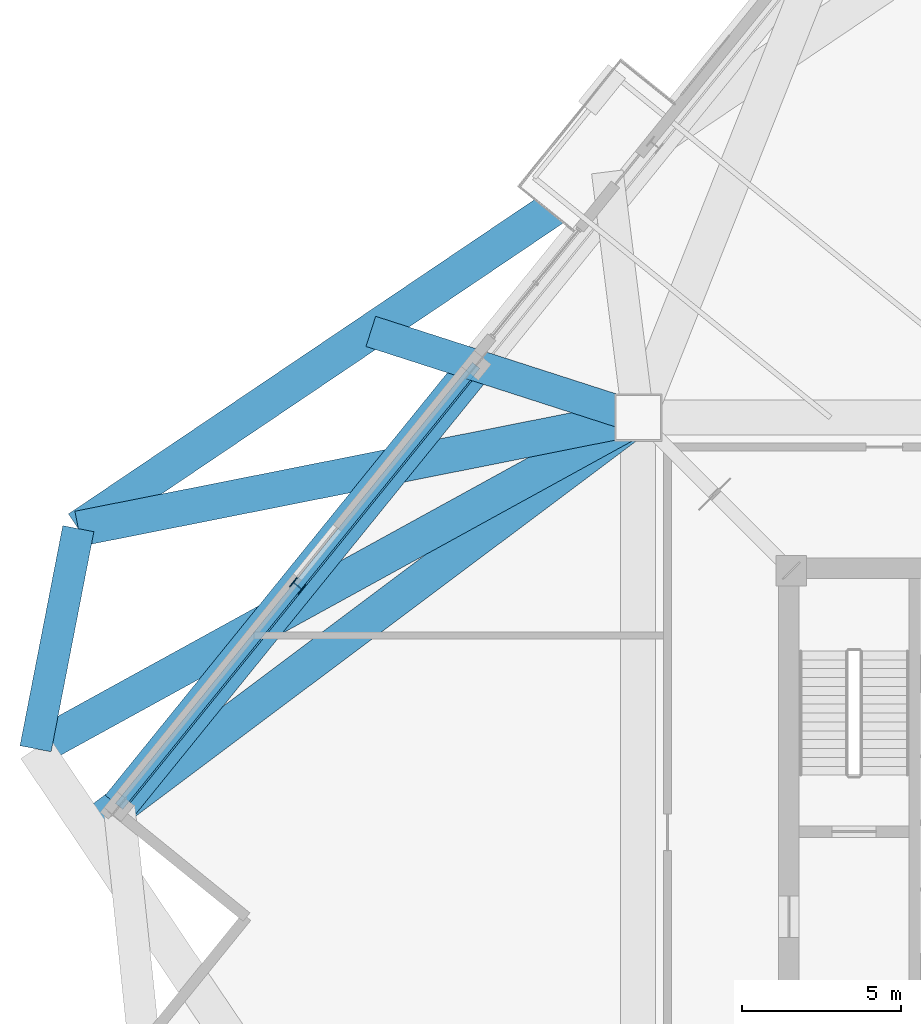
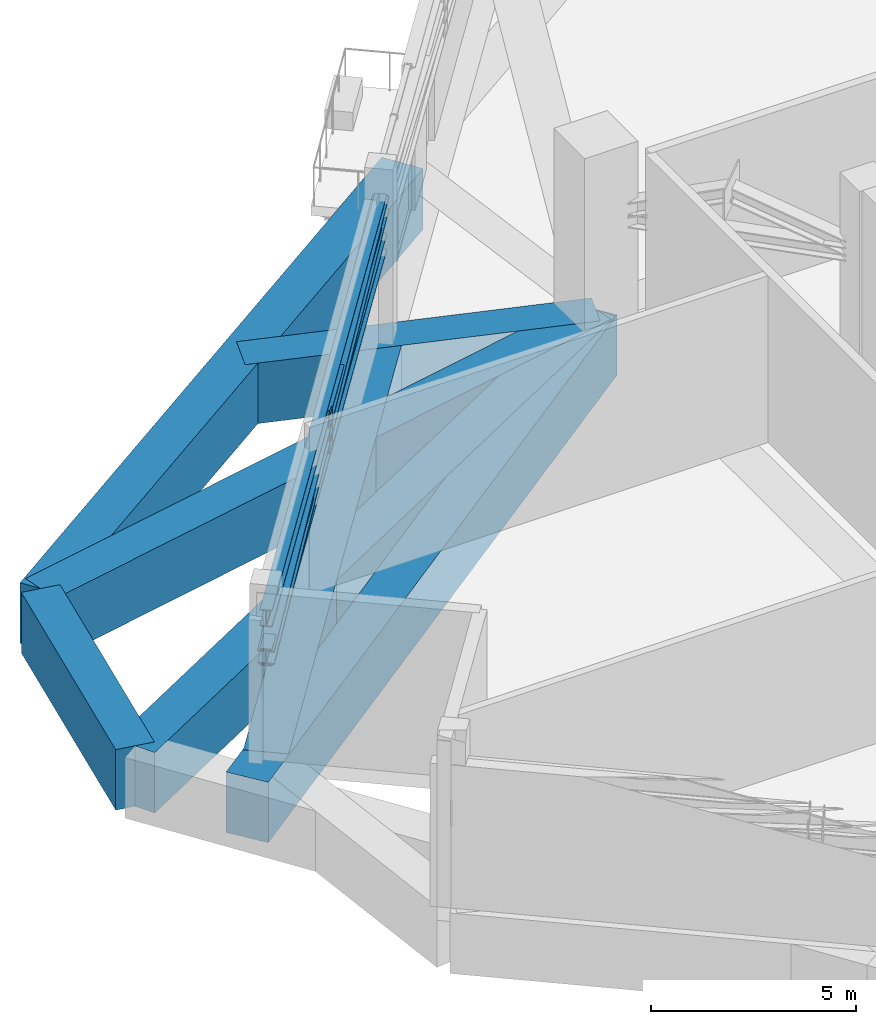
# One storey, part 6 of 22: 7 beams, 4 members.
"""IFC4 building model written with IfcOpenShell, lengths in metres."""

import ifcopenshell
import ifcopenshell.guid

model = None  # the IFC model being written
_history = None  # IfcOwnerHistory: only IFC2X3 demands one
_inside = {}  # id of a spatial element -> (the spatial element, [elements in it])
_under = {}  # id of a project, library or spatial element -> (it, [spatial elements below it])
_declared = {}  # id of a project -> (the project, [libraries it declares])
_typed = {}  # id of a type object -> (the type object, [elements of that type])
_made_of = {}  # id of a material, layer set ... -> (it, [elements and type objects made of it])


def new_model(schema):
    """Start an empty IFC model of exactly this schema.

    Asked for "IFC4X3", IfcOpenShell would pick the latest addendum, in which some entities
    have other attributes; the version numbers below select the first issue.
    IFC2X3 requires an IfcOwnerHistory on every rooted entity: one is made here for all.
    """
    global model, _history
    if schema == "IFC4X3":
        model = ifcopenshell.file(schema_version=(4, 3, 0, 0))
    else:
        model = ifcopenshell.file(schema=schema)
    _inside.clear()
    _under.clear()
    _declared.clear()
    _typed.clear()
    _made_of.clear()
    _history = None
    if model.schema == "IFC2X3":
        org = make("IfcOrganization", Name="unknown")
        user = make(
            "IfcPersonAndOrganization",
            ThePerson=make("IfcPerson", FamilyName="unknown"),
            TheOrganization=org,
        )
        app = make(
            "IfcApplication",
            ApplicationDeveloper=org,
            Version="unknown",
            ApplicationFullName="unknown",
            ApplicationIdentifier="unknown",
        )
        _history = make(
            "IfcOwnerHistory",
            OwningUser=user,
            OwningApplication=app,
            ChangeAction="ADDED",
            CreationDate=0,
        )
    return model


def make(cls, **values):
    """One entity of the class cls with the attributes given. An attribute that is None is left unset."""
    return model.create_entity(
        cls, **{name: value for name, value in values.items() if value is not None}
    )


def rooted(cls, **values):
    """An entity with a GlobalId (a new one), such as an element, a storey or a relation."""
    return make(cls, GlobalId=ifcopenshell.guid.new(), OwnerHistory=_history, **values)


def si_unit(unit_type, name, prefix=None):
    """IfcSIUnit, for example si_unit("LENGTHUNIT", "METRE", prefix="MILLI")."""
    return make("IfcSIUnit", UnitType=unit_type, Prefix=prefix, Name=name)


def assignment(units):
    """IfcUnitAssignment: the units of a project."""
    return None if units is None else make("IfcUnitAssignment", Units=units)


def point(xyz):
    """IfcCartesianPoint."""
    return None if xyz is None else make("IfcCartesianPoint", Coordinates=xyz)


def direction(xyz):
    """IfcDirection."""
    return None if xyz is None else make("IfcDirection", DirectionRatios=xyz)


def frame(location, z_axis=None, x_axis=None):
    """IfcAxis2Placement3D, a coordinate frame: its origin and axes. An axis left out is left unset."""
    return make(
        "IfcAxis2Placement3D",
        Location=point(location),
        Axis=direction(z_axis),
        RefDirection=direction(x_axis),
    )


def frame_2d(location, x_axis=None):
    """IfcAxis2Placement2D, a coordinate frame in the plane: its origin and x axis."""
    return make(
        "IfcAxis2Placement2D", Location=point(location), RefDirection=direction(x_axis)
    )


def origin():
    """The frame at (0, 0, 0) with its axes left unset."""
    return frame((0.0, 0.0, 0.0))


def origin_2d():
    """The frame at (0, 0) in the plane with its x axis left unset."""
    return frame_2d((0.0, 0.0))


def place(relative_to, where):
    """IfcLocalPlacement: puts the frame where relative to a parent placement (None: the world)."""
    return make(
        "IfcLocalPlacement", PlacementRelTo=relative_to, RelativePlacement=where
    )


def context(
    kind, dimensions, precision=None, world=None, true_north=None, identifier=None
):
    """IfcGeometricRepresentationContext, for example the 3D "Model" context."""
    return make(
        "IfcGeometricRepresentationContext",
        ContextIdentifier=identifier,
        ContextType=kind,
        CoordinateSpaceDimension=dimensions,
        Precision=precision,
        WorldCoordinateSystem=world,
        TrueNorth=true_north,
    )


def subcontext(parent, identifier, kind, view, scale=None):
    """IfcGeometricRepresentationSubContext, for example "Body" below "Model"."""
    return make(
        "IfcGeometricRepresentationSubContext",
        ContextIdentifier=identifier,
        ContextType=kind,
        ParentContext=parent,
        TargetScale=scale,
        TargetView=view,
    )


def project(units=None, contexts=None):
    """IfcProject with its units and contexts."""
    return rooted(
        "IfcProject",
        Name="project",
        RepresentationContexts=contexts,
        UnitsInContext=assignment(units),
    )


def spatial(cls, under=None, at=None, **own):
    """A site, building, storey or space (cls), placed at a placement, below another one or the project."""
    s = rooted(cls, ObjectPlacement=at, **own)
    if under is not None:
        _under.setdefault(under.id(), (under, []))[1].append(s)
    return s


def profile(cls, at=None, kind="AREA", **sizes):
    """A parametric profile (cls). Its sizes go by their IFC names, for example OverallWidth=200.0."""
    return make(cls, ProfileType=kind, Position=at, **sizes)


def rectangle(**sizes):
    """IfcRectangleProfileDef."""
    return profile("IfcRectangleProfileDef", **sizes)


def i_section(**sizes):
    """IfcIShapeProfileDef."""
    return profile("IfcIShapeProfileDef", **sizes)


def extrude(swept, where, along, depth):
    """IfcExtrudedAreaSolid: the profile swept, set in the frame where, extruded along a direction by depth."""
    return make(
        "IfcExtrudedAreaSolid",
        SweptArea=swept,
        Position=where,
        ExtrudedDirection=direction(along),
        Depth=depth,
    )


def shape(context_of_items, identifier, shape_type, items):
    """IfcShapeRepresentation: the items that make up one representation, for example the "Body"."""
    return make(
        "IfcShapeRepresentation",
        ContextOfItems=context_of_items,
        RepresentationIdentifier=identifier,
        RepresentationType=shape_type,
        Items=items,
    )


def source(mapping_origin, context_of_items, identifier, shape_type, items):
    """IfcRepresentationMap: a shape defined once, which mapped items show again and again."""
    return make(
        "IfcRepresentationMap",
        MappingOrigin=mapping_origin,
        MappedRepresentation=shape(context_of_items, identifier, shape_type, items),
    )


def transform(
    local_origin,
    x_axis=None,
    y_axis=None,
    z_axis=None,
    scale=None,
    scale2=None,
    scale3=None,
    uniform=True,
):
    """IfcCartesianTransformationOperator3D, or its non-uniform kind. x_axis, y_axis, z_axis: its Axis1, 2, 3."""
    if uniform:
        return make(
            "IfcCartesianTransformationOperator3D",
            Axis1=direction(x_axis),
            Axis2=direction(y_axis),
            LocalOrigin=point(local_origin),
            Scale=scale,
            Axis3=direction(z_axis),
        )
    return make(
        "IfcCartesianTransformationOperator3DnonUniform",
        Axis1=direction(x_axis),
        Axis2=direction(y_axis),
        LocalOrigin=point(local_origin),
        Scale=scale,
        Axis3=direction(z_axis),
        Scale2=scale2,
        Scale3=scale3,
    )


def mapped(mapping_source, mapping_target):
    """IfcMappedItem: shows the shape of a source again, moved by a transform."""
    return make(
        "IfcMappedItem", MappingSource=mapping_source, MappingTarget=mapping_target
    )


def material(Name=None, Category=None):
    """IfcMaterial."""
    return make("IfcMaterial", Name=Name, Category=Category)


def material_profile(
    of_material, cross_section, Name=None, Category=None, Priority=None
):
    """IfcMaterialProfile: a cross section and its material."""
    return make(
        "IfcMaterialProfile",
        Name=Name,
        Material=of_material,
        Profile=cross_section,
        Priority=Priority,
        Category=Category,
    )


def profile_set(profiles, Name=None, composite=None):
    """IfcMaterialProfileSet."""
    return make(
        "IfcMaterialProfileSet",
        Name=Name,
        MaterialProfiles=profiles,
        CompositeProfile=composite,
    )


def made_of(thing, what):
    """Note that an element or type object is made of a material, layer set ...; save() writes the relation."""
    if what is not None:
        _made_of.setdefault(what.id(), (what, []))[1].append(thing)
    return thing


def type_object(cls, material=None, **own):
    """A type object (cls), such as IfcWallType, which elements share."""
    return made_of(rooted(cls, **own), material)


def element(
    cls,
    number,
    at=None,
    inside=None,
    cuts=None,
    type_object=None,
    material=None,
    context=None,
    identifier="Body",
    shape_type=None,
    held_by="IfcProductDefinitionShape",
    body=None,
    shapes=None,
    **own,
):
    """One element of the class cls, such as IfcWall. Its Tag is "e" and its number.

    at: its placement. inside: the storey or other place that contains it. cuts: it is an
    opening in that element (IfcRelVoidsElement). A single representation is given by context,
    identifier, shape_type and body (its items); several are given by shapes. held_by: the class
    of the entity that holds the representations. save() writes the other relations.
    """
    e = rooted(cls, Tag="e%d" % number, ObjectPlacement=at, **own)
    if body is not None:
        shapes = [shape(context, identifier, shape_type, body)]
    if shapes is not None:
        e.Representation = make(held_by, Representations=shapes)
    if inside is not None:
        _inside.setdefault(inside.id(), (inside, []))[1].append(e)
    if cuts is not None:
        rooted(
            "IfcRelVoidsElement", RelatingBuildingElement=cuts, RelatedOpeningElement=e
        )
    if type_object is not None:
        _typed.setdefault(type_object.id(), (type_object, []))[1].append(e)
    return made_of(e, material)


def aggregate(whole, parts):
    """IfcRelAggregates: a whole, such as a stair, and the parts it consists of."""
    return rooted("IfcRelAggregates", RelatingObject=whole, RelatedObjects=parts)


def save(model, path):
    """Write the relations noted so far, then the file.

    IfcRelAggregates (storeys below a building ...), IfcRelContainedInSpatialStructure (elements
    in a storey), IfcRelDefinesByType, IfcRelAssociatesMaterial and IfcRelDeclares: one each for
    every whole, place, type object, material and project.
    """
    for whole, parts in _under.values():
        aggregate(whole, parts)
    for where, things in _inside.values():
        rooted(
            "IfcRelContainedInSpatialStructure",
            RelatedElements=things,
            RelatingStructure=where,
        )
    for kind, things in _typed.values():
        rooted("IfcRelDefinesByType", RelatedObjects=things, RelatingType=kind)
    for what, things in _made_of.values():
        rooted("IfcRelAssociatesMaterial", RelatedObjects=things, RelatingMaterial=what)
    for by, libraries in _declared.values():
        rooted("IfcRelDeclares", RelatingContext=by, RelatedDefinitions=libraries)
    model.write(path)


model = new_model("IFC4")

# Units and contexts
model_context = context("Model", 3, precision=1e-05, world=origin(), true_north=direction((0.0, 1.0)))
body_context = subcontext(model_context, "Body", "Model", "MODEL_VIEW")
ifc_project = project(units=[si_unit("LENGTHUNIT", "METRE"), si_unit("AREAUNIT", "SQUARE_METRE"), si_unit("VOLUMEUNIT", "CUBIC_METRE"), si_unit("PLANEANGLEUNIT", "RADIAN"), si_unit("MASSUNIT", "GRAM", prefix="KILO"), si_unit("THERMODYNAMICTEMPERATUREUNIT", "KELVIN")], contexts=[model_context])

# Site, building, storey
site_placement = place(None, origin())
site = spatial("IfcSite", under=ifc_project, at=site_placement, CompositionType="ELEMENT")
building_placement = place(site_placement, origin())
building = spatial("IfcBuilding", under=site, at=building_placement, Name="Kosmvard Interchange Tower", CompositionType="ELEMENT")
storey_placement = place(building_placement, frame((0.0, 0.0, 200.39990234375)))
storey = spatial("IfcBuildingStorey", under=building, at=storey_placement, Name="L48", CompositionType="ELEMENT", Elevation=200.39990234375)

# Beams
ifc_material_1 = material(Name="Concrete C60/75", Category="concrete")
ifc_material_profile_1 = material_profile(ifc_material_1, rectangle(XDim=1.1201171875, YDim=1.800048828125, at=origin_2d()), Name="TG 1120x1800")
ifc_profile_set_1 = profile_set([ifc_material_profile_1], Name="Concrete C60/75")
beam_type_1 = type_object("IfcBeamType", Name="Zone Long-Span Transfer Girder 1120x1800 C60/75", PredefinedType="USERDEFINED", material=ifc_profile_set_1)
shared_shape_1 = source(origin(), body_context, "Body", "SweptSolid", [
    extrude(rectangle(XDim=1.1201171875, YDim=1.800048828125, at=origin_2d()), origin(), (0.0, 0.0, 1.0), 21.684326171875),
])
beam_1_placement = place(storey_placement, frame((-13.0810546875, 13.0810546875, -0.89990234375), z_axis=(-0.876311689012, -0.48174456271, 0.0), x_axis=(0.48174456271, -0.876311689012, 0.0)))
element("IfcBeam", 1, at=beam_1_placement, inside=storey, type_object=beam_type_1, Name="BM-L48-LD10", ObjectType="TRANSFER_GIRDER", PredefinedType="USERDEFINED", context=body_context, shape_type="MappedRepresentation", body=[
    mapped(shared_shape_1, transform((0.0, 0.0, 0.0), scale=1.0)),
])
shared_shape_2 = source(origin(), body_context, "Body", "SweptSolid", [
    extrude(rectangle(XDim=1.1201171875, YDim=1.800048828125, at=origin_2d()), origin(), (0.0, 0.0, 1.0), 20.125),
])
beam_2_placement = place(storey_placement, frame((-14.0498046875, 20.82958984375, -0.89990234375), z_axis=(-0.829038908426, -0.559190922956, 0.0), x_axis=(0.559190922956, -0.829038908426, 0.0)))
element("IfcBeam", 2, at=beam_2_placement, inside=storey, type_object=beam_type_1, Name="BM-L48-LR08", ObjectType="TRANSFER_GIRDER", PredefinedType="USERDEFINED", context=body_context, shape_type="MappedRepresentation", body=[
    mapped(shared_shape_2, transform((0.0, 0.0, 0.0), scale=1.0)),
])
ifc_material_profile_2 = material_profile(ifc_material_1, rectangle(XDim=1.0, YDim=1.800048828125, at=origin_2d()), Name="TG 1000x1800")
ifc_profile_set_2 = profile_set([ifc_material_profile_2], Name="Concrete C60/75")
beam_type_2 = type_object("IfcBeamType", Name="Zone Transfer Ring Girder 1000x1800 C60/75", PredefinedType="USERDEFINED", material=ifc_profile_set_2)
shared_shape_3 = source(origin(), body_context, "Body", "SweptSolid", [
    extrude(rectangle(XDim=1.0, YDim=1.800048828125, at=origin_2d()), origin(), (0.0, 0.0, 1.0), 7.071044921875),
])
beam_3_placement = place(storey_placement, frame((-30.734130859375, 9.575927734375, -0.89990234375), z_axis=(-0.190794803533, -0.981629941956, 0.0), x_axis=(0.981629941956, -0.190794803533, 0.0)))
element("IfcBeam", 3, at=beam_3_placement, inside=storey, type_object=beam_type_2, Name="BM-L48-LR09", ObjectType="TRANSFER_GIRDER", PredefinedType="USERDEFINED", context=body_context, shape_type="MappedRepresentation", body=[
    mapped(shared_shape_3, transform((0.0, 0.0, 0.0), scale=1.0)),
])
shared_shape_4 = source(origin(), body_context, "Body", "SweptSolid", [
    extrude(rectangle(XDim=1.1201171875, YDim=1.800048828125, at=origin_2d()), origin(), (0.0, 0.0, 1.0), 17.997802734375),
])
beam_4_placement = place(storey_placement, frame((-13.0810546875, 13.0810546875, -0.89990234375), z_axis=(-0.980852075755, -0.194754218148, 0.0), x_axis=(0.194754218148, -0.980852075755, 0.0)))
element("IfcBeam", 4, at=beam_4_placement, inside=storey, type_object=beam_type_1, Name="BM-L48-LD09", ObjectType="TRANSFER_GIRDER", PredefinedType="USERDEFINED", context=body_context, shape_type="MappedRepresentation", body=[
    mapped(shared_shape_4, transform((0.0, 0.0, 0.0), scale=1.0)),
])
shared_shape_5 = source(origin(), body_context, "Body", "SweptSolid", [
    extrude(rectangle(XDim=1.1201171875, YDim=1.800048828125, at=origin_2d()), origin(), (0.0, 0.0, 1.0), 17.89990234375),
])
beam_5_placement = place(storey_placement, frame((-18.185302734375, 14.72607421875, -0.89990234375), z_axis=(-0.629314753061, -0.777150526976, 0.0), x_axis=(0.777150526976, -0.629314753061, 0.0)))
element("IfcBeam", 5, at=beam_5_placement, inside=storey, type_object=beam_type_1, Name="BM-L48-PR08", ObjectType="TRANSFER_GIRDER", PredefinedType="USERDEFINED", context=body_context, shape_type="MappedRepresentation", body=[
    mapped(shared_shape_5, transform((0.0, 0.0, 0.0), scale=1.0)),
])
shared_shape_6 = source(origin(), body_context, "Body", "SweptSolid", [
    extrude(rectangle(XDim=1.0, YDim=1.800048828125, at=origin_2d()), origin(), (0.0, 0.0, 1.0), 8.855712890625),
])
beam_6_placement = place(storey_placement, frame((-13.0810546875, 13.0810546875, -0.89990234375), z_axis=(-0.951787317516, 0.306758703569, 0.0), x_axis=(-0.306758703569, -0.951787317516, 0.0)))
element("IfcBeam", 6, at=beam_6_placement, inside=storey, type_object=beam_type_2, Name="BM-L48-RD08", ObjectType="TRANSFER_GIRDER", PredefinedType="USERDEFINED", context=body_context, shape_type="MappedRepresentation", body=[
    mapped(shared_shape_6, transform((0.0, 0.0, 0.0), scale=1.0)),
])
shared_shape_7 = source(origin(), body_context, "Body", "SweptSolid", [
    extrude(rectangle(XDim=1.1201171875, YDim=1.800048828125, at=origin_2d()), origin(), (0.0, 0.0, 1.0), 21.621826171875),
])
beam_7_placement = place(storey_placement, frame((-13.0810546875, 13.0810546875, -0.89990234375), z_axis=(-0.800253307022, -0.599662108692, 0.0), x_axis=(0.599662108692, -0.800253307022, 0.0)))
element("IfcBeam", 7, at=beam_7_placement, inside=storey, type_object=beam_type_1, Name="BM-L48-RD09", ObjectType="TRANSFER_GIRDER", PredefinedType="USERDEFINED", context=body_context, shape_type="MappedRepresentation", body=[
    mapped(shared_shape_7, transform((0.0, 0.0, 0.0), scale=1.0)),
])

# Members
ifc_material_2 = material(Name="Steel S460", Category="steel")
ifc_material_profile_3 = material_profile(ifc_material_2, i_section(OverallWidth=0.300048828125, OverallDepth=0.5, WebThickness=0.014404296875, FlangeThickness=0.028076171875, FilletRadius=0.027099609375, at=origin_2d()), Name="HEB 500")
ifc_profile_set_3 = profile_set([ifc_material_profile_3], Name="Steel S460")
member_type_1 = type_object("IfcMemberType", Name="Belt Truss Chord HEB 500 S460", PredefinedType="CHORD", material=ifc_profile_set_3)
shared_shape_8 = source(origin(), body_context, "Body", "SweptSolid", [
    extrude(i_section(OverallWidth=0.300048828125, OverallDepth=0.5, WebThickness=0.014404296875, FlangeThickness=0.028076171875, FilletRadius=0.027099609375, at=origin_2d()), origin(), (0.0, 0.0, 1.0), 17.89990234375),
])
for number, where, z_axis, x_axis, name in (
    (8, (-18.185302734375, 14.72607421875, 2.820068359375), (-0.629314753061, -0.777150526976, 0.0), (0.777150526976, -0.629314753061, 0.0), "L48 Belt Truss Bottom Chord N2"),
    (9, (-18.185302734375, 14.72607421875, 3.97998046875), (-0.629314753061, -0.777150526976, 0.0), (0.777150526976, -0.629314753061, 0.0), "L48 Belt Truss Top Chord N2"),
):
    element("IfcMember", number, at=place(storey_placement, frame(where, z_axis=z_axis, x_axis=x_axis)), inside=storey, type_object=member_type_1, Name=name, PredefinedType="CHORD", context=body_context, shape_type="MappedRepresentation", body=[
        mapped(shared_shape_8, transform((0.0, 0.0, 0.0), scale=1.0)),
    ])
ifc_material_profile_4 = material_profile(ifc_material_2, i_section(OverallWidth=0.3759765625, OverallDepth=0.386962890625, WebThickness=0.01953125, FlangeThickness=0.031982421875, FilletRadius=0.014892578125, at=origin_2d()), Name="HD 360x329")
ifc_profile_set_4 = profile_set([ifc_material_profile_4], Name="Steel S460")
member_type_2 = type_object("IfcMemberType", Name="Belt Truss Vertical Post HD 360x329 S460", PredefinedType="STUD", material=ifc_profile_set_4)
shared_shape_9 = source(origin(), body_context, "Body", "SweptSolid", [
    extrude(i_section(OverallWidth=0.3759765625, OverallDepth=0.386962890625, WebThickness=0.01953125, FlangeThickness=0.031982421875, FilletRadius=0.014892578125, at=origin_2d()), origin(), (0.0, 0.0, 1.0), 1.159912109375),
])
member_1_placement = place(storey_placement, frame((-23.817626953125, 7.770751953125, 2.820068359375), z_axis=(0.0, 0.0, 1.0), x_axis=(0.62932039105, 0.777145961457, 0.0)))
element("IfcMember", 10, at=member_1_placement, inside=storey, type_object=member_type_2, Name="L48 Belt Truss Post N2", PredefinedType="STUD", context=body_context, shape_type="MappedRepresentation", body=[
    mapped(shared_shape_9, transform((0.0, 0.0, 0.0), scale=1.0)),
])
ifc_material_profile_5 = material_profile(ifc_material_2, i_section(OverallWidth=0.406005859375, OverallDepth=0.416015625, WebThickness=0.021484375, FlangeThickness=0.034912109375, FilletRadius=0.014892578125, at=origin_2d()), Name="HD 400x382")
ifc_profile_set_5 = profile_set([ifc_material_profile_5], Name="Steel S460")
member_type_3 = type_object("IfcMemberType", Name="Perimeter Belt Truss Diagonal HD 400x382 S460", PredefinedType="BRACE", material=ifc_profile_set_5)
shared_shape_10 = source(origin(), body_context, "Body", "SweptSolid", [
    extrude(i_section(OverallWidth=0.406005859375, OverallDepth=0.416015625, WebThickness=0.021484375, FlangeThickness=0.034912109375, FilletRadius=0.014892578125, at=origin_2d()), origin(), (0.0, 0.0, 1.0), 17.9375),
])
member_2_placement = place(storey_placement, frame((-29.449951171875, 0.815185546875, 2.820068359375), z_axis=(0.627997638558, 0.775524001894, 0.064664429579), x_axis=(-0.777150526976, 0.629314753061, 0.0)))
element("IfcMember", 11, at=member_2_placement, inside=storey, type_object=member_type_3, Name="L48 Belt Truss Diagonal N2", PredefinedType="BRACE", context=body_context, shape_type="MappedRepresentation", body=[
    mapped(shared_shape_10, transform((0.0, 0.0, 0.0), scale=1.0)),
])

save(model, "model.ifc")
